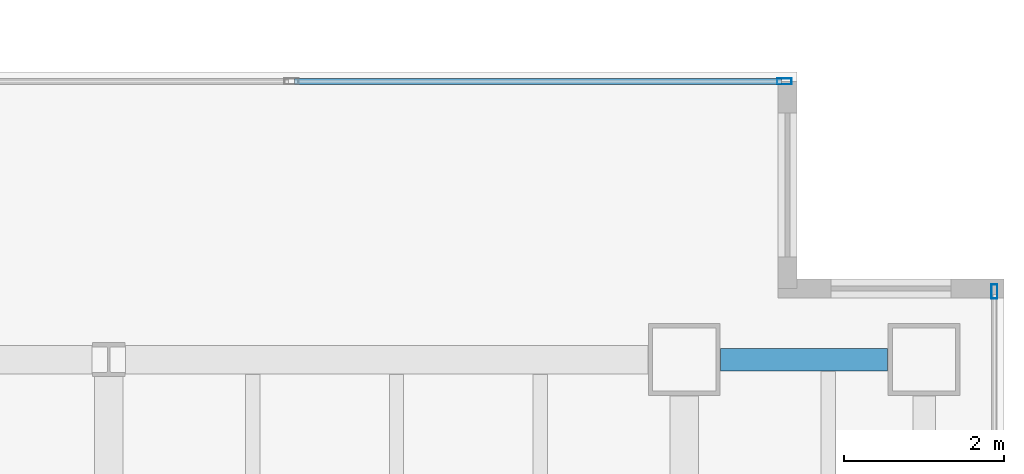
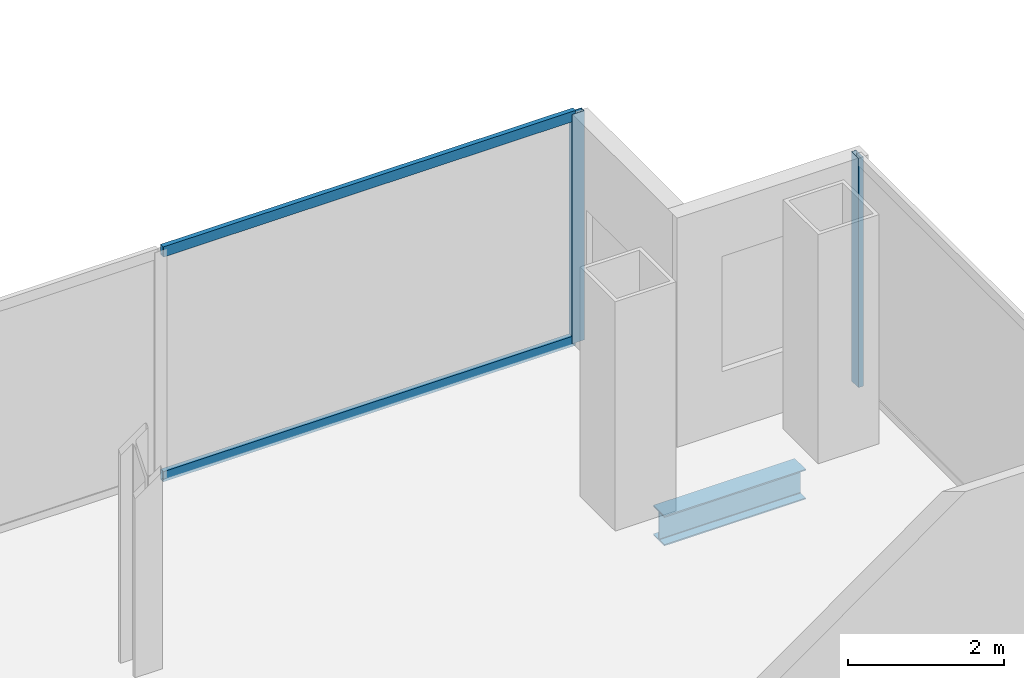
# One storey, part 15 of 23: 4 members, 1 beam, 2 elements without a shape of their own.
"""IFC4 building model written with IfcOpenShell, lengths in metres."""

from ifc_helpers import new_model, si_unit, direction, frame, origin, origin_2d, place, context, subcontext, project, spatial, hollow_rectangle, i_section, extrude, material, material_profile, profile_set, type_object, element, aggregate, save


model = new_model("IFC4")

# Units and contexts
model_context = context("Model", 3, precision=1e-05, world=origin(), true_north=direction((0.0, 1.0)))
body_context = subcontext(model_context, "Body", "Model", "MODEL_VIEW")
ifc_project = project(units=[si_unit("LENGTHUNIT", "METRE"), si_unit("AREAUNIT", "SQUARE_METRE"), si_unit("VOLUMEUNIT", "CUBIC_METRE"), si_unit("PLANEANGLEUNIT", "RADIAN"), si_unit("MASSUNIT", "GRAM", prefix="KILO")], contexts=[model_context])

# Site, building, storey
site_placement = place(None, origin())
site = spatial("IfcSite", under=ifc_project, at=site_placement, CompositionType="ELEMENT")
building_placement = place(site_placement, origin())
building = spatial("IfcBuilding", under=site, at=building_placement, Name="Cobrela Telecom Tower", CompositionType="ELEMENT")
storey_placement = place(building_placement, frame((0.0, 0.0, 144.550048828125)))
storey = spatial("IfcBuildingStorey", under=building, at=storey_placement, Name="L36", CompositionType="ELEMENT", Elevation=144.550048828125)

# Beam
ifc_material_1 = material(Name="Steel ASTM A992 Grade 50", Category="steel")
ifc_material_profile_1 = material_profile(ifc_material_1, i_section(OverallWidth=0.281982421875, OverallDepth=0.467041015625, WebThickness=0.01220703125, FlangeThickness=0.01953125, FilletRadius=0.012939453125, at=origin_2d()), Name="W18X86")
ifc_profile_set_1 = profile_set([ifc_material_profile_1], Name="Steel ASTM A992 Grade 50")
beam_type = type_object("IfcBeamType", Name="BM-SPAND-04", PredefinedType="SPANDREL", material=ifc_profile_set_1)
beam_placement = place(storey_placement, frame((43.655029296875, 21.60009765625, -0.503662109375), z_axis=(1.0, 0.0, 0.0), x_axis=(0.0, 1.0, 0.0)))
element("IfcBeam", 1, at=beam_placement, inside=storey, type_object=beam_type, Name="L36 Perimeter Spandrel X22", PredefinedType="SPANDREL", context=body_context, shape_type="SweptSolid", body=[
    extrude(i_section(OverallWidth=0.281982421875, OverallDepth=0.467041015625, WebThickness=0.01220703125, FlangeThickness=0.01953125, FilletRadius=0.012939453125, at=origin_2d()), origin(), (0.0, 0.0, 1.0), 2.090087890625),
])

# Curtain wall, member
ifc_material_2 = material(Name="Anodized Bronze Aluminium 6063-T6", Category="aluminium")
curtain_wall_type = type_object("IfcCurtainWallType", Name="CW-SYS-TEL", PredefinedType="USERDEFINED", material=ifc_material_2)
curtain_wall_1_placement = place(storey_placement, origin())
curtain_wall_1 = element("IfcCurtainWall", 2, at=curtain_wall_1_placement, inside=storey, type_object=curtain_wall_type, Name="L36 Unitised Bronze Curtain Wall 11", ObjectType="UNITISED CURTAIN WALL", PredefinedType="USERDEFINED")
ifc_material_profile_2 = material_profile(ifc_material_2, hollow_rectangle(XDim=0.074951171875, YDim=0.179931640625, WallThickness=0.00390625, at=origin_2d()), Name="ALU 75x180x4")
ifc_profile_set_2 = profile_set([ifc_material_profile_2], Name="Anodized Bronze Aluminium 6063-T6")
member_type_1 = type_object("IfcMemberType", Name="CW-SYS-TEL-MUL", PredefinedType="MULLION", material=ifc_profile_set_2)
member_1_placement = place(storey_placement, frame((44.452392578125, 25.080078125, 0.0), z_axis=(0.0, 0.0, 1.0), x_axis=(0.0, 1.0, 0.0)))
member_1 = element("IfcMember", 3, at=member_1_placement, type_object=member_type_1, Name="CW-TEL mullion 4", PredefinedType="MULLION", context=body_context, shape_type="SweptSolid", body=[
    extrude(hollow_rectangle(XDim=0.074951171875, YDim=0.179931640625, WallThickness=0.00390625, at=origin_2d()), origin(), (0.0, 0.0, 1.0), 3.579833984375),
])

curtain_wall_2_placement = place(storey_placement, origin())
curtain_wall_2 = element("IfcCurtainWall", 4, at=curtain_wall_2_placement, inside=storey, type_object=curtain_wall_type, Name="L36 Unitised Bronze Curtain Wall 14", ObjectType="UNITISED CURTAIN WALL", PredefinedType="USERDEFINED")
member_2_placement = place(storey_placement, frame((47.080078125, 22.452392578125, 0.0), z_axis=(0.0, 0.0, 1.0), x_axis=(1.0, 0.0, 0.0)))
member_2 = element("IfcMember", 5, at=member_2_placement, type_object=member_type_1, Name="CW-TEL mullion 1", PredefinedType="MULLION", context=body_context, shape_type="SweptSolid", body=[
    extrude(hollow_rectangle(XDim=0.074951171875, YDim=0.179931640625, WallThickness=0.00390625, at=origin_2d()), origin(), (0.0, 0.0, 1.0), 3.579833984375),
])
aggregate(curtain_wall_2, [member_2])

# Member
ifc_material_profile_3 = material_profile(ifc_material_2, hollow_rectangle(XDim=0.070068359375, YDim=0.159912109375, WallThickness=0.00390625, at=origin_2d()), Name="ALU 70x160x4")
ifc_profile_set_3 = profile_set([ifc_material_profile_3], Name="Anodized Bronze Aluminium 6063-T6")
member_type_2 = type_object("IfcMemberType", Name="CW-SYS-TEL-TRN", PredefinedType="USERDEFINED", material=ifc_profile_set_3)
member_3_placement = place(storey_placement, frame((38.32421875, 25.080078125, 0.034912109375), z_axis=(1.0, 0.0, 0.0), x_axis=(0.0, 1.0, 0.0)))
member_3 = element("IfcMember", 6, at=member_3_placement, type_object=member_type_2, Name="CW-TEL transom 3.1", ObjectType="TRANSOM", PredefinedType="USERDEFINED", context=body_context, shape_type="SweptSolid", body=[
    extrude(hollow_rectangle(XDim=0.070068359375, YDim=0.159912109375, WallThickness=0.00390625, at=origin_2d()), origin(), (0.0, 0.0, 1.0), 6.0908203125),
])

member_4_placement = place(storey_placement, frame((38.32421875, 25.080078125, 3.544921875), z_axis=(1.0, 0.0, 0.0), x_axis=(0.0, 1.0, 0.0)))
member_4 = element("IfcMember", 7, at=member_4_placement, type_object=member_type_2, Name="CW-TEL transom 3.2", ObjectType="TRANSOM", PredefinedType="USERDEFINED", context=body_context, shape_type="SweptSolid", body=[
    extrude(hollow_rectangle(XDim=0.070068359375, YDim=0.159912109375, WallThickness=0.00390625, at=origin_2d()), origin(), (0.0, 0.0, 1.0), 6.0908203125),
])

aggregate(curtain_wall_1, [member_1, member_3, member_4])

save(model, "model.ifc")
